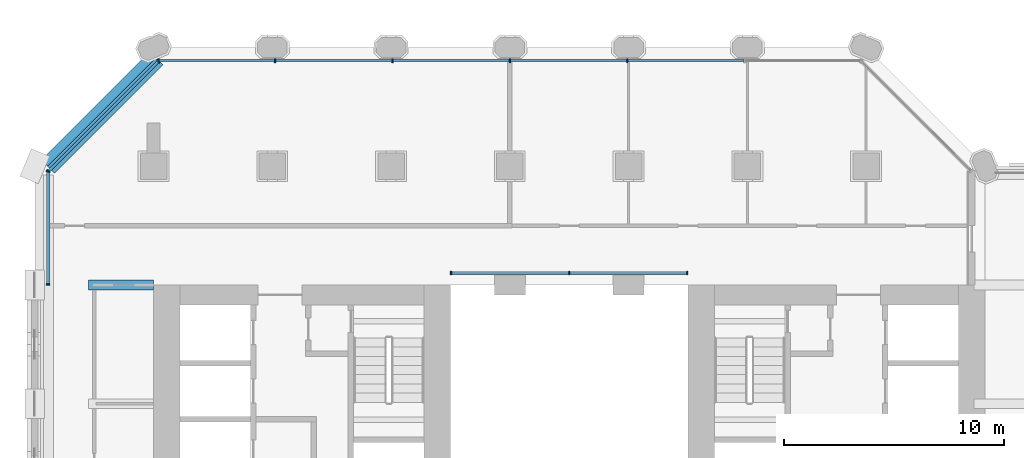
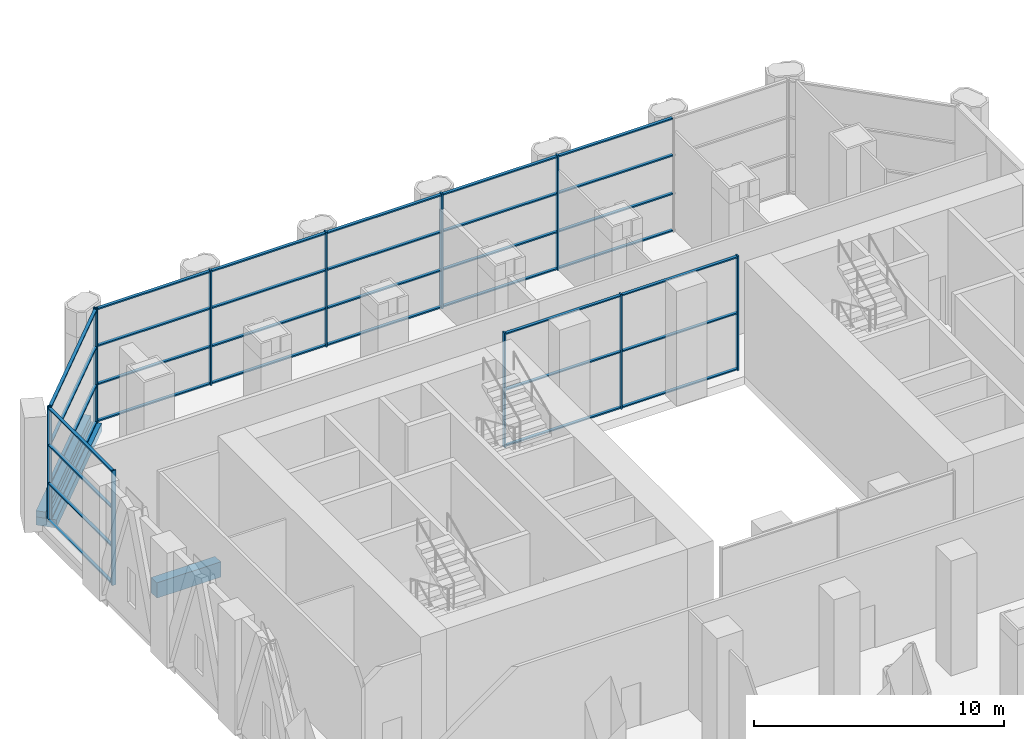
# One storey, part 8 of 34: 46 members, 3 beams, 4 elements without a shape of their own.
"""IFC4 building model written with IfcOpenShell, lengths in metres."""

from ifc_helpers import new_model, si_unit, direction, frame, origin, origin_2d, place, context, subcontext, project, spatial, rectangle, extrude, material, material_profile, profile_set, type_object, element, aggregate, save


model = new_model("IFC4")

# Units and contexts
model_context = context("Model", 3, precision=1e-05, world=origin(), true_north=direction((0.0, 1.0)))
body_context = subcontext(model_context, "Body", "Model", "MODEL_VIEW")
ifc_project = project(units=[si_unit("LENGTHUNIT", "METRE"), si_unit("AREAUNIT", "SQUARE_METRE"), si_unit("VOLUMEUNIT", "CUBIC_METRE"), si_unit("PLANEANGLEUNIT", "RADIAN"), si_unit("MASSUNIT", "GRAM", prefix="KILO")], contexts=[model_context])

# Site, building, storey
site_placement = place(None, origin())
site = spatial("IfcSite", under=ifc_project, at=site_placement, CompositionType="ELEMENT")
building_placement = place(site_placement, origin())
building = spatial("IfcBuilding", under=site, at=building_placement, Name="Tabaq Tower and Sports Hall", CompositionType="ELEMENT")
storey_placement = place(building_placement, frame((0.0, 0.0, 8.39990234375)))
storey = spatial("IfcBuildingStorey", under=building, at=storey_placement, Name="L01", CompositionType="ELEMENT", Elevation=8.39990234375)

# Curtain wall, members
ifc_material_1 = material(Name="Aluminium alloy 6063-T6 framed glazing", Category="aluminium")
curtain_wall_type_1 = type_object("IfcCurtainWallType", Name="CW1 curtain wall", PredefinedType="USERDEFINED", material=ifc_material_1)
curtain_wall_1_placement = place(storey_placement, origin())
curtain_wall_1 = element("IfcCurtainWall", 1, at=curtain_wall_1_placement, inside=storey, type_object=curtain_wall_type_1, Name="Atrium glazing L01 N", ObjectType="ATRIUM ENCLOSURE", PredefinedType="USERDEFINED")
ifc_material_2 = material(Name="Aluminium alloy 6063-T6", Category="aluminium")
ifc_material_profile_1 = material_profile(ifc_material_2, rectangle(XDim=0.159912109375, YDim=0.06005859375, at=origin_2d()), Name="MULLION 160x60")
ifc_profile_set_1 = profile_set([ifc_material_profile_1], Name="Aluminium alloy 6063-T6")
member_type_1 = type_object("IfcMemberType", Name="CW1 mullion 160x60", PredefinedType="MULLION", material=ifc_profile_set_1)
member_1_placement = place(storey_placement, frame((18.929931640625, 32.949951171875, 0.0), z_axis=(0.0, 0.0, 1.0), x_axis=(0.0, 1.0, 0.0)))
member_1 = element("IfcMember", 2, at=member_1_placement, type_object=member_type_1, Name="CW1 mullion 1", PredefinedType="MULLION", context=body_context, shape_type="SweptSolid", body=[
    extrude(rectangle(XDim=0.159912109375, YDim=0.06005859375, at=origin_2d()), origin(), (0.0, 0.0, 1.0), 5.60009765625),
])
member_2_placement = place(storey_placement, frame((24.300048828125, 32.949951171875, 0.0), z_axis=(0.0, 0.0, 1.0), x_axis=(0.0, 1.0, 0.0)))
member_2 = element("IfcMember", 3, at=member_2_placement, type_object=member_type_1, Name="CW1 mullion 2", PredefinedType="MULLION", context=body_context, shape_type="SweptSolid", body=[
    extrude(rectangle(XDim=0.159912109375, YDim=0.06005859375, at=origin_2d()), origin(), (0.0, 0.0, 1.0), 5.60009765625),
])
member_3_placement = place(storey_placement, frame((29.669921875, 32.949951171875, 0.0), z_axis=(0.0, 0.0, 1.0), x_axis=(0.0, 1.0, 0.0)))
member_3 = element("IfcMember", 4, at=member_3_placement, type_object=member_type_1, Name="CW1 mullion 3", PredefinedType="MULLION", context=body_context, shape_type="SweptSolid", body=[
    extrude(rectangle(XDim=0.159912109375, YDim=0.06005859375, at=origin_2d()), origin(), (0.0, 0.0, 1.0), 5.60009765625),
])
ifc_material_3 = material(Name="Aluminium alloy 6063-T6", Category="aluminium")
ifc_material_profile_2 = material_profile(ifc_material_3, rectangle(XDim=0.139892578125, YDim=0.06005859375, at=origin_2d()), Name="TRANSOM 140x60")
ifc_profile_set_2 = profile_set([ifc_material_profile_2], Name="Aluminium alloy 6063-T6")
member_type_2 = type_object("IfcMemberType", Name="CW1 transom 140x60", PredefinedType="USERDEFINED", material=ifc_profile_set_2)
member_4_placement = place(storey_placement, frame((18.9599609375, 32.949951171875, 0.070068359375), z_axis=(1.0, 0.0, 0.0), x_axis=(0.0, 1.0, 0.0)))
member_4 = element("IfcMember", 5, at=member_4_placement, type_object=member_type_2, Name="CW1 transom 1.1", ObjectType="TRANSOM", PredefinedType="USERDEFINED", context=body_context, shape_type="SweptSolid", body=[
    extrude(rectangle(XDim=0.139892578125, YDim=0.06005859375, at=origin_2d()), origin(), (0.0, 0.0, 1.0), 5.31005859375),
])
member_5_placement = place(storey_placement, frame((18.9599609375, 32.949951171875, 2.800048828125), z_axis=(1.0, 0.0, 0.0), x_axis=(0.0, 1.0, 0.0)))
member_5 = element("IfcMember", 6, at=member_5_placement, type_object=member_type_2, Name="CW1 transom 1.2", ObjectType="TRANSOM", PredefinedType="USERDEFINED", context=body_context, shape_type="SweptSolid", body=[
    extrude(rectangle(XDim=0.139892578125, YDim=0.06005859375, at=origin_2d()), origin(), (0.0, 0.0, 1.0), 5.31005859375),
])
member_6_placement = place(storey_placement, frame((18.9599609375, 32.949951171875, 5.530029296875), z_axis=(1.0, 0.0, 0.0), x_axis=(0.0, 1.0, 0.0)))
member_6 = element("IfcMember", 7, at=member_6_placement, type_object=member_type_2, Name="CW1 transom 1.3", ObjectType="TRANSOM", PredefinedType="USERDEFINED", context=body_context, shape_type="SweptSolid", body=[
    extrude(rectangle(XDim=0.139892578125, YDim=0.06005859375, at=origin_2d()), origin(), (0.0, 0.0, 1.0), 5.31005859375),
])
member_7_placement = place(storey_placement, frame((24.330078125, 32.949951171875, 0.070068359375), z_axis=(1.0, 0.0, 0.0), x_axis=(0.0, 1.0, 0.0)))
member_7 = element("IfcMember", 8, at=member_7_placement, type_object=member_type_2, Name="CW1 transom 2.1", ObjectType="TRANSOM", PredefinedType="USERDEFINED", context=body_context, shape_type="SweptSolid", body=[
    extrude(rectangle(XDim=0.139892578125, YDim=0.06005859375, at=origin_2d()), origin(), (0.0, 0.0, 1.0), 5.309814453125),
])
member_8_placement = place(storey_placement, frame((24.330078125, 32.949951171875, 2.800048828125), z_axis=(1.0, 0.0, 0.0), x_axis=(0.0, 1.0, 0.0)))
member_8 = element("IfcMember", 9, at=member_8_placement, type_object=member_type_2, Name="CW1 transom 2.2", ObjectType="TRANSOM", PredefinedType="USERDEFINED", context=body_context, shape_type="SweptSolid", body=[
    extrude(rectangle(XDim=0.139892578125, YDim=0.06005859375, at=origin_2d()), origin(), (0.0, 0.0, 1.0), 5.309814453125),
])
member_9_placement = place(storey_placement, frame((24.330078125, 32.949951171875, 5.530029296875), z_axis=(1.0, 0.0, 0.0), x_axis=(0.0, 1.0, 0.0)))
member_9 = element("IfcMember", 10, at=member_9_placement, type_object=member_type_2, Name="CW1 transom 2.3", ObjectType="TRANSOM", PredefinedType="USERDEFINED", context=body_context, shape_type="SweptSolid", body=[
    extrude(rectangle(XDim=0.139892578125, YDim=0.06005859375, at=origin_2d()), origin(), (0.0, 0.0, 1.0), 5.309814453125),
])
aggregate(curtain_wall_1, [member_1, member_2, member_3, member_4, member_5, member_6, member_7, member_8, member_9])

ifc_material_4 = material(Name="Aluminium alloy 6063-T6 framed glazing", Category="aluminium")
curtain_wall_type_2 = type_object("IfcCurtainWallType", Name="CW7 curtain wall", PredefinedType="USERDEFINED", material=ifc_material_4)
curtain_wall_2_placement = place(storey_placement, origin())
curtain_wall_2 = element("IfcCurtainWall", 11, at=curtain_wall_2_placement, inside=storey, type_object=curtain_wall_type_2, Name="Podium Wall L01 N", ObjectType="PODIUM WALL", PredefinedType="USERDEFINED")
ifc_material_5 = material(Name="Aluminium alloy 6063-T6", Category="aluminium")
ifc_material_profile_3 = material_profile(ifc_material_5, rectangle(XDim=0.179931640625, YDim=0.06494140625, at=origin_2d()), Name="MULLION 180x65")
ifc_profile_set_3 = profile_set([ifc_material_profile_3], Name="Aluminium alloy 6063-T6")
member_type_3 = type_object("IfcMemberType", Name="CW7 mullion 180x65", PredefinedType="MULLION", material=ifc_profile_set_3)
member_10_placement = place(storey_placement, frame((26.93798828125, 42.60009765625, 0.0), z_axis=(0.0, 0.0, 1.0), x_axis=(0.0, -1.0, 0.0)))
member_10 = element("IfcMember", 12, at=member_10_placement, type_object=member_type_3, Name="CW7 mullion 3", PredefinedType="MULLION", context=body_context, shape_type="SweptSolid", body=[
    extrude(rectangle(XDim=0.179931640625, YDim=0.06494140625, at=origin_2d()), origin(), (0.0, 0.0, 1.0), 5.60009765625),
])
member_11_placement = place(storey_placement, frame((21.60009765625, 42.60009765625, 0.0), z_axis=(0.0, 0.0, 1.0), x_axis=(0.0, -1.0, 0.0)))
member_11 = element("IfcMember", 13, at=member_11_placement, type_object=member_type_3, Name="CW7 mullion 4", PredefinedType="MULLION", context=body_context, shape_type="SweptSolid", body=[
    extrude(rectangle(XDim=0.179931640625, YDim=0.06494140625, at=origin_2d()), origin(), (0.0, 0.0, 1.0), 5.60009765625),
])
member_12_placement = place(storey_placement, frame((16.26220703125, 42.60009765625, 0.0), z_axis=(0.0, 0.0, 1.0), x_axis=(0.0, -1.0, 0.0)))
member_12 = element("IfcMember", 14, at=member_12_placement, type_object=member_type_3, Name="CW7 mullion 5", PredefinedType="MULLION", context=body_context, shape_type="SweptSolid", body=[
    extrude(rectangle(XDim=0.179931640625, YDim=0.06494140625, at=origin_2d()), origin(), (0.0, 0.0, 1.0), 5.60009765625),
])
member_13_placement = place(storey_placement, frame((10.92431640625, 42.60009765625, 0.0), z_axis=(0.0, 0.0, 1.0), x_axis=(0.0, -1.0, 0.0)))
member_13 = element("IfcMember", 15, at=member_13_placement, type_object=member_type_3, Name="CW7 mullion 6", PredefinedType="MULLION", context=body_context, shape_type="SweptSolid", body=[
    extrude(rectangle(XDim=0.179931640625, YDim=0.06494140625, at=origin_2d()), origin(), (0.0, 0.0, 1.0), 5.60009765625),
])
member_14_placement = place(storey_placement, frame((5.618896484375, 42.60009765625, 0.0), z_axis=(0.0, 0.0, 1.0), x_axis=(0.0, -1.0, 0.0)))
member_14 = element("IfcMember", 16, at=member_14_placement, type_object=member_type_3, Name="CW7 mullion 7", PredefinedType="MULLION", context=body_context, shape_type="SweptSolid", body=[
    extrude(rectangle(XDim=0.179931640625, YDim=0.06494140625, at=origin_2d()), origin(), (0.0, 0.0, 1.0), 5.60009765625),
])

curtain_wall_3_placement = place(storey_placement, origin())
curtain_wall_3 = element("IfcCurtainWall", 17, at=curtain_wall_3_placement, inside=storey, type_object=curtain_wall_type_2, Name="Podium Wall L01 NW", ObjectType="PODIUM WALL", PredefinedType="USERDEFINED")
member_15_placement = place(storey_placement, frame((5.62548828125, 42.576904296875, 0.0), z_axis=(0.0, 0.0, 1.0), x_axis=(0.707106781187, -0.707106781187, 0.0)))
member_15 = element("IfcMember", 18, at=member_15_placement, type_object=member_type_3, Name="CW7 mullion 1", PredefinedType="MULLION", context=body_context, shape_type="SweptSolid", body=[
    extrude(rectangle(XDim=0.179931640625, YDim=0.06494140625, at=origin_2d()), origin(), (0.0, 0.0, 1.0), 5.60009765625),
])
member_16_placement = place(storey_placement, frame((0.623046875, 37.574462890625, 0.0), z_axis=(0.0, 0.0, 1.0), x_axis=(0.707106781187, -0.707106781187, 0.0)))
member_16 = element("IfcMember", 19, at=member_16_placement, type_object=member_type_3, Name="CW7 mullion 2", PredefinedType="MULLION", context=body_context, shape_type="SweptSolid", body=[
    extrude(rectangle(XDim=0.179931640625, YDim=0.06494140625, at=origin_2d()), origin(), (0.0, 0.0, 1.0), 5.60009765625),
])

curtain_wall_4_placement = place(storey_placement, origin())
curtain_wall_4 = element("IfcCurtainWall", 20, at=curtain_wall_4_placement, inside=storey, type_object=curtain_wall_type_2, Name="Podium Wall L01 W", ObjectType="PODIUM WALL", PredefinedType="USERDEFINED")
member_17_placement = place(storey_placement, frame((0.60009765625, 37.5810546875, 0.0), z_axis=(0.0, 0.0, 1.0), x_axis=(1.0, 0.0, 0.0)))
member_17 = element("IfcMember", 21, at=member_17_placement, type_object=member_type_3, Name="CW7 mullion 1", PredefinedType="MULLION", context=body_context, shape_type="SweptSolid", body=[
    extrude(rectangle(XDim=0.179931640625, YDim=0.06494140625, at=origin_2d()), origin(), (0.0, 0.0, 1.0), 5.60009765625),
])
member_18_placement = place(storey_placement, frame((0.60009765625, 32.4326171875, 0.0), z_axis=(0.0, 0.0, 1.0), x_axis=(1.0, 0.0, 0.0)))
member_18 = element("IfcMember", 22, at=member_18_placement, type_object=member_type_3, Name="CW7 mullion 2", PredefinedType="MULLION", context=body_context, shape_type="SweptSolid", body=[
    extrude(rectangle(XDim=0.179931640625, YDim=0.06494140625, at=origin_2d()), origin(), (0.0, 0.0, 1.0), 5.60009765625),
])

# Member
ifc_material_6 = material(Name="Aluminium alloy 6063-T6", Category="aluminium")
ifc_material_profile_4 = material_profile(ifc_material_6, rectangle(XDim=0.139892578125, YDim=0.06494140625, at=origin_2d()), Name="TRANSOM 140x65")
ifc_profile_set_4 = profile_set([ifc_material_profile_4], Name="Aluminium alloy 6063-T6")
member_type_4 = type_object("IfcMemberType", Name="CW7 transom 140x65", PredefinedType="USERDEFINED", material=ifc_profile_set_4)
member_19_placement = place(storey_placement, frame((32.2431640625, 42.60009765625, 0.070068359375), z_axis=(-1.0, 0.0, 0.0), x_axis=(0.0, -1.0, 0.0)))
member_19 = element("IfcMember", 23, at=member_19_placement, type_object=member_type_4, Name="CW7 transom 2.1", ObjectType="TRANSOM", PredefinedType="USERDEFINED", context=body_context, shape_type="SweptSolid", body=[
    extrude(rectangle(XDim=0.139892578125, YDim=0.06494140625, at=origin_2d()), origin(), (0.0, 0.0, 1.0), 5.272705078125),
])

member_20_placement = place(storey_placement, frame((32.2431640625, 42.60009765625, 1.86669921875), z_axis=(-1.0, 0.0, 0.0), x_axis=(0.0, -1.0, 0.0)))
member_20 = element("IfcMember", 24, at=member_20_placement, type_object=member_type_4, Name="CW7 transom 2.2", ObjectType="TRANSOM", PredefinedType="USERDEFINED", context=body_context, shape_type="SweptSolid", body=[
    extrude(rectangle(XDim=0.139892578125, YDim=0.06494140625, at=origin_2d()), origin(), (0.0, 0.0, 1.0), 5.272705078125),
])

member_21_placement = place(storey_placement, frame((32.2431640625, 42.60009765625, 3.7333984375), z_axis=(-1.0, 0.0, 0.0), x_axis=(0.0, -1.0, 0.0)))
member_21 = element("IfcMember", 25, at=member_21_placement, type_object=member_type_4, Name="CW7 transom 2.3", ObjectType="TRANSOM", PredefinedType="USERDEFINED", context=body_context, shape_type="SweptSolid", body=[
    extrude(rectangle(XDim=0.139892578125, YDim=0.06494140625, at=origin_2d()), origin(), (0.0, 0.0, 1.0), 5.272705078125),
])

member_22_placement = place(storey_placement, frame((32.2431640625, 42.60009765625, 5.530029296875), z_axis=(-1.0, 0.0, 0.0), x_axis=(0.0, -1.0, 0.0)))
member_22 = element("IfcMember", 26, at=member_22_placement, type_object=member_type_4, Name="CW7 transom 2.4", ObjectType="TRANSOM", PredefinedType="USERDEFINED", context=body_context, shape_type="SweptSolid", body=[
    extrude(rectangle(XDim=0.139892578125, YDim=0.06494140625, at=origin_2d()), origin(), (0.0, 0.0, 1.0), 5.272705078125),
])

member_23_placement = place(storey_placement, frame((26.9052734375, 42.60009765625, 0.070068359375), z_axis=(-1.0, 0.0, 0.0), x_axis=(0.0, -1.0, 0.0)))
member_23 = element("IfcMember", 27, at=member_23_placement, type_object=member_type_4, Name="CW7 transom 3.1", ObjectType="TRANSOM", PredefinedType="USERDEFINED", context=body_context, shape_type="SweptSolid", body=[
    extrude(rectangle(XDim=0.139892578125, YDim=0.06494140625, at=origin_2d()), origin(), (0.0, 0.0, 1.0), 5.272705078125),
])

member_24_placement = place(storey_placement, frame((26.9052734375, 42.60009765625, 1.86669921875), z_axis=(-1.0, 0.0, 0.0), x_axis=(0.0, -1.0, 0.0)))
member_24 = element("IfcMember", 28, at=member_24_placement, type_object=member_type_4, Name="CW7 transom 3.2", ObjectType="TRANSOM", PredefinedType="USERDEFINED", context=body_context, shape_type="SweptSolid", body=[
    extrude(rectangle(XDim=0.139892578125, YDim=0.06494140625, at=origin_2d()), origin(), (0.0, 0.0, 1.0), 5.272705078125),
])

member_25_placement = place(storey_placement, frame((26.9052734375, 42.60009765625, 3.7333984375), z_axis=(-1.0, 0.0, 0.0), x_axis=(0.0, -1.0, 0.0)))
member_25 = element("IfcMember", 29, at=member_25_placement, type_object=member_type_4, Name="CW7 transom 3.3", ObjectType="TRANSOM", PredefinedType="USERDEFINED", context=body_context, shape_type="SweptSolid", body=[
    extrude(rectangle(XDim=0.139892578125, YDim=0.06494140625, at=origin_2d()), origin(), (0.0, 0.0, 1.0), 5.272705078125),
])

member_26_placement = place(storey_placement, frame((26.9052734375, 42.60009765625, 5.530029296875), z_axis=(-1.0, 0.0, 0.0), x_axis=(0.0, -1.0, 0.0)))
member_26 = element("IfcMember", 30, at=member_26_placement, type_object=member_type_4, Name="CW7 transom 3.4", ObjectType="TRANSOM", PredefinedType="USERDEFINED", context=body_context, shape_type="SweptSolid", body=[
    extrude(rectangle(XDim=0.139892578125, YDim=0.06494140625, at=origin_2d()), origin(), (0.0, 0.0, 1.0), 5.272705078125),
])

member_27_placement = place(storey_placement, frame((21.5673828125, 42.60009765625, 0.070068359375), z_axis=(-1.0, 0.0, 0.0), x_axis=(0.0, -1.0, 0.0)))
member_27 = element("IfcMember", 31, at=member_27_placement, type_object=member_type_4, Name="CW7 transom 4.1", ObjectType="TRANSOM", PredefinedType="USERDEFINED", context=body_context, shape_type="SweptSolid", body=[
    extrude(rectangle(XDim=0.139892578125, YDim=0.06494140625, at=origin_2d()), origin(), (0.0, 0.0, 1.0), 5.272705078125),
])

member_28_placement = place(storey_placement, frame((21.5673828125, 42.60009765625, 1.86669921875), z_axis=(-1.0, 0.0, 0.0), x_axis=(0.0, -1.0, 0.0)))
member_28 = element("IfcMember", 32, at=member_28_placement, type_object=member_type_4, Name="CW7 transom 4.2", ObjectType="TRANSOM", PredefinedType="USERDEFINED", context=body_context, shape_type="SweptSolid", body=[
    extrude(rectangle(XDim=0.139892578125, YDim=0.06494140625, at=origin_2d()), origin(), (0.0, 0.0, 1.0), 5.272705078125),
])

member_29_placement = place(storey_placement, frame((21.5673828125, 42.60009765625, 3.7333984375), z_axis=(-1.0, 0.0, 0.0), x_axis=(0.0, -1.0, 0.0)))
member_29 = element("IfcMember", 33, at=member_29_placement, type_object=member_type_4, Name="CW7 transom 4.3", ObjectType="TRANSOM", PredefinedType="USERDEFINED", context=body_context, shape_type="SweptSolid", body=[
    extrude(rectangle(XDim=0.139892578125, YDim=0.06494140625, at=origin_2d()), origin(), (0.0, 0.0, 1.0), 5.272705078125),
])

member_30_placement = place(storey_placement, frame((21.5673828125, 42.60009765625, 5.530029296875), z_axis=(-1.0, 0.0, 0.0), x_axis=(0.0, -1.0, 0.0)))
member_30 = element("IfcMember", 34, at=member_30_placement, type_object=member_type_4, Name="CW7 transom 4.4", ObjectType="TRANSOM", PredefinedType="USERDEFINED", context=body_context, shape_type="SweptSolid", body=[
    extrude(rectangle(XDim=0.139892578125, YDim=0.06494140625, at=origin_2d()), origin(), (0.0, 0.0, 1.0), 5.272705078125),
])

member_31_placement = place(storey_placement, frame((16.229736328125, 42.60009765625, 0.070068359375), z_axis=(-1.0, 0.0, 0.0), x_axis=(0.0, -1.0, 0.0)))
member_31 = element("IfcMember", 35, at=member_31_placement, type_object=member_type_4, Name="CW7 transom 5.1", ObjectType="TRANSOM", PredefinedType="USERDEFINED", context=body_context, shape_type="SweptSolid", body=[
    extrude(rectangle(XDim=0.139892578125, YDim=0.06494140625, at=origin_2d()), origin(), (0.0, 0.0, 1.0), 5.27294921875),
])

member_32_placement = place(storey_placement, frame((16.229736328125, 42.60009765625, 1.86669921875), z_axis=(-1.0, 0.0, 0.0), x_axis=(0.0, -1.0, 0.0)))
member_32 = element("IfcMember", 36, at=member_32_placement, type_object=member_type_4, Name="CW7 transom 5.2", ObjectType="TRANSOM", PredefinedType="USERDEFINED", context=body_context, shape_type="SweptSolid", body=[
    extrude(rectangle(XDim=0.139892578125, YDim=0.06494140625, at=origin_2d()), origin(), (0.0, 0.0, 1.0), 5.27294921875),
])

member_33_placement = place(storey_placement, frame((16.229736328125, 42.60009765625, 3.7333984375), z_axis=(-1.0, 0.0, 0.0), x_axis=(0.0, -1.0, 0.0)))
member_33 = element("IfcMember", 37, at=member_33_placement, type_object=member_type_4, Name="CW7 transom 5.3", ObjectType="TRANSOM", PredefinedType="USERDEFINED", context=body_context, shape_type="SweptSolid", body=[
    extrude(rectangle(XDim=0.139892578125, YDim=0.06494140625, at=origin_2d()), origin(), (0.0, 0.0, 1.0), 5.27294921875),
])

member_34_placement = place(storey_placement, frame((16.229736328125, 42.60009765625, 5.530029296875), z_axis=(-1.0, 0.0, 0.0), x_axis=(0.0, -1.0, 0.0)))
member_34 = element("IfcMember", 38, at=member_34_placement, type_object=member_type_4, Name="CW7 transom 5.4", ObjectType="TRANSOM", PredefinedType="USERDEFINED", context=body_context, shape_type="SweptSolid", body=[
    extrude(rectangle(XDim=0.139892578125, YDim=0.06494140625, at=origin_2d()), origin(), (0.0, 0.0, 1.0), 5.27294921875),
])

member_35_placement = place(storey_placement, frame((10.891845703125, 42.60009765625, 0.070068359375), z_axis=(-1.0, 0.0, 0.0), x_axis=(0.0, -1.0, 0.0)))
member_35 = element("IfcMember", 39, at=member_35_placement, type_object=member_type_4, Name="CW7 transom 6.1", ObjectType="TRANSOM", PredefinedType="USERDEFINED", context=body_context, shape_type="SweptSolid", body=[
    extrude(rectangle(XDim=0.139892578125, YDim=0.06494140625, at=origin_2d()), origin(), (0.0, 0.0, 1.0), 5.240478515625),
])

member_36_placement = place(storey_placement, frame((10.891845703125, 42.60009765625, 1.86669921875), z_axis=(-1.0, 0.0, 0.0), x_axis=(0.0, -1.0, 0.0)))
member_36 = element("IfcMember", 40, at=member_36_placement, type_object=member_type_4, Name="CW7 transom 6.2", ObjectType="TRANSOM", PredefinedType="USERDEFINED", context=body_context, shape_type="SweptSolid", body=[
    extrude(rectangle(XDim=0.139892578125, YDim=0.06494140625, at=origin_2d()), origin(), (0.0, 0.0, 1.0), 5.240478515625),
])

member_37_placement = place(storey_placement, frame((10.891845703125, 42.60009765625, 3.7333984375), z_axis=(-1.0, 0.0, 0.0), x_axis=(0.0, -1.0, 0.0)))
member_37 = element("IfcMember", 41, at=member_37_placement, type_object=member_type_4, Name="CW7 transom 6.3", ObjectType="TRANSOM", PredefinedType="USERDEFINED", context=body_context, shape_type="SweptSolid", body=[
    extrude(rectangle(XDim=0.139892578125, YDim=0.06494140625, at=origin_2d()), origin(), (0.0, 0.0, 1.0), 5.240478515625),
])

member_38_placement = place(storey_placement, frame((10.891845703125, 42.60009765625, 5.530029296875), z_axis=(-1.0, 0.0, 0.0), x_axis=(0.0, -1.0, 0.0)))
member_38 = element("IfcMember", 42, at=member_38_placement, type_object=member_type_4, Name="CW7 transom 6.4", ObjectType="TRANSOM", PredefinedType="USERDEFINED", context=body_context, shape_type="SweptSolid", body=[
    extrude(rectangle(XDim=0.139892578125, YDim=0.06494140625, at=origin_2d()), origin(), (0.0, 0.0, 1.0), 5.240478515625),
])

aggregate(curtain_wall_2, [member_10, member_11, member_12, member_13, member_14, member_19, member_20, member_21, member_22, member_23, member_24, member_25, member_26, member_27, member_28, member_29, member_30, member_31, member_32, member_33, member_34, member_35, member_36, member_37, member_38])

member_39_placement = place(storey_placement, frame((5.6025390625, 42.553955078125, 0.070068359375), z_axis=(-0.707106781187, -0.707106781187, 0.0), x_axis=(0.707106781187, -0.707106781187, 0.0)))
member_39 = element("IfcMember", 43, at=member_39_placement, type_object=member_type_4, Name="CW7 transom 1.1", ObjectType="TRANSOM", PredefinedType="USERDEFINED", context=body_context, shape_type="SweptSolid", body=[
    extrude(rectangle(XDim=0.139892578125, YDim=0.06494140625, at=origin_2d()), origin(), (0.0, 0.0, 1.0), 7.009521484375),
])

member_40_placement = place(storey_placement, frame((5.6025390625, 42.553955078125, 1.86669921875), z_axis=(-0.707106781187, -0.707106781187, 0.0), x_axis=(0.707106781187, -0.707106781187, 0.0)))
member_40 = element("IfcMember", 44, at=member_40_placement, type_object=member_type_4, Name="CW7 transom 1.2", ObjectType="TRANSOM", PredefinedType="USERDEFINED", context=body_context, shape_type="SweptSolid", body=[
    extrude(rectangle(XDim=0.139892578125, YDim=0.06494140625, at=origin_2d()), origin(), (0.0, 0.0, 1.0), 7.009521484375),
])

member_41_placement = place(storey_placement, frame((5.6025390625, 42.553955078125, 3.7333984375), z_axis=(-0.707106781187, -0.707106781187, 0.0), x_axis=(0.707106781187, -0.707106781187, 0.0)))
member_41 = element("IfcMember", 45, at=member_41_placement, type_object=member_type_4, Name="CW7 transom 1.3", ObjectType="TRANSOM", PredefinedType="USERDEFINED", context=body_context, shape_type="SweptSolid", body=[
    extrude(rectangle(XDim=0.139892578125, YDim=0.06494140625, at=origin_2d()), origin(), (0.0, 0.0, 1.0), 7.009521484375),
])

member_42_placement = place(storey_placement, frame((5.6025390625, 42.553955078125, 5.530029296875), z_axis=(-0.707106781187, -0.707106781187, 0.0), x_axis=(0.707106781187, -0.707106781187, 0.0)))
member_42 = element("IfcMember", 46, at=member_42_placement, type_object=member_type_4, Name="CW7 transom 1.4", ObjectType="TRANSOM", PredefinedType="USERDEFINED", context=body_context, shape_type="SweptSolid", body=[
    extrude(rectangle(XDim=0.139892578125, YDim=0.06494140625, at=origin_2d()), origin(), (0.0, 0.0, 1.0), 7.009521484375),
])

aggregate(curtain_wall_3, [member_15, member_16, member_39, member_40, member_41, member_42])

member_43_placement = place(storey_placement, frame((0.60009765625, 37.548583984375, 0.070068359375), z_axis=(0.0, -1.0, 0.0), x_axis=(1.0, 0.0, 0.0)))
member_43 = element("IfcMember", 47, at=member_43_placement, type_object=member_type_4, Name="CW7 transom 1.1", ObjectType="TRANSOM", PredefinedType="USERDEFINED", context=body_context, shape_type="SweptSolid", body=[
    extrude(rectangle(XDim=0.139892578125, YDim=0.06494140625, at=origin_2d()), origin(), (0.0, 0.0, 1.0), 5.08349609375),
])

member_44_placement = place(storey_placement, frame((0.60009765625, 37.548583984375, 1.86669921875), z_axis=(0.0, -1.0, 0.0), x_axis=(1.0, 0.0, 0.0)))
member_44 = element("IfcMember", 48, at=member_44_placement, type_object=member_type_4, Name="CW7 transom 1.2", ObjectType="TRANSOM", PredefinedType="USERDEFINED", context=body_context, shape_type="SweptSolid", body=[
    extrude(rectangle(XDim=0.139892578125, YDim=0.06494140625, at=origin_2d()), origin(), (0.0, 0.0, 1.0), 5.08349609375),
])

member_45_placement = place(storey_placement, frame((0.60009765625, 37.548583984375, 3.7333984375), z_axis=(0.0, -1.0, 0.0), x_axis=(1.0, 0.0, 0.0)))
member_45 = element("IfcMember", 49, at=member_45_placement, type_object=member_type_4, Name="CW7 transom 1.3", ObjectType="TRANSOM", PredefinedType="USERDEFINED", context=body_context, shape_type="SweptSolid", body=[
    extrude(rectangle(XDim=0.139892578125, YDim=0.06494140625, at=origin_2d()), origin(), (0.0, 0.0, 1.0), 5.08349609375),
])

member_46_placement = place(storey_placement, frame((0.60009765625, 37.548583984375, 5.530029296875), z_axis=(0.0, -1.0, 0.0), x_axis=(1.0, 0.0, 0.0)))
member_46 = element("IfcMember", 50, at=member_46_placement, type_object=member_type_4, Name="CW7 transom 1.4", ObjectType="TRANSOM", PredefinedType="USERDEFINED", context=body_context, shape_type="SweptSolid", body=[
    extrude(rectangle(XDim=0.139892578125, YDim=0.06494140625, at=origin_2d()), origin(), (0.0, 0.0, 1.0), 5.08349609375),
])

aggregate(curtain_wall_4, [member_17, member_18, member_43, member_44, member_45, member_46])

# Beams
ifc_material_7 = material(Name="Concrete C40/50", Category="concrete")
ifc_material_profile_5 = material_profile(ifc_material_7, rectangle(XDim=0.449951171875, YDim=0.75, at=origin_2d()), Name="CB 450x750")
ifc_profile_set_5 = profile_set([ifc_material_profile_5], Name="Concrete C40/50")
beam_type_1 = type_object("IfcBeamType", Name="PT CANTILEVER BEAM CB 450x750 C40/50", PredefinedType="BEAM", material=ifc_profile_set_5)
beam_1_placement = place(storey_placement, frame((2.449951171875, 32.39990234375, -0.77490234375), z_axis=(1.0, 0.0, 0.0), x_axis=(0.0, 1.0, 0.0)))
element("IfcBeam", 51, at=beam_1_placement, inside=storey, type_object=beam_type_1, Name="Cantilever Beam L01 W6 span 1", PredefinedType="BEAM", context=body_context, shape_type="SweptSolid", body=[
    extrude(rectangle(XDim=0.449951171875, YDim=0.75, at=origin_2d()), origin(), (0.0, 0.0, 1.0), 2.949951171875),
])
ifc_material_8 = material(Name="Concrete C40/50", Category="concrete")
ifc_material_profile_6 = material_profile(ifc_material_8, rectangle(XDim=0.85009765625, YDim=0.39990234375, at=origin_2d()), Name="EB 850x400")
ifc_profile_set_6 = profile_set([ifc_material_profile_6], Name="Concrete C40/50")
beam_type_2 = type_object("IfcBeamType", Name="PT EDGE BEAM EB 850x400 C40/50", PredefinedType="SPANDREL", material=ifc_profile_set_6)
beam_2_placement = place(storey_placement, frame((5.523681640625, 42.72265625, -0.199951171875), z_axis=(-0.707106781187, -0.707106781187, 0.0), x_axis=(0.707106781187, -0.707106781187, 0.0)))
element("IfcBeam", 52, at=beam_2_placement, inside=storey, type_object=beam_type_2, Name="Edge Beam L01 3", PredefinedType="SPANDREL", context=body_context, shape_type="SweptSolid", body=[
    extrude(rectangle(XDim=0.85009765625, YDim=0.39990234375, at=origin_2d()), origin(), (0.0, 0.0, 1.0), 6.98486328125),
])
ifc_material_9 = material(Name="Concrete C40/50", Category="concrete")
ifc_material_profile_7 = material_profile(ifc_material_9, rectangle(XDim=0.39990234375, YDim=0.300048828125, at=origin_2d()), Name="EU 400x300")
ifc_profile_set_7 = profile_set([ifc_material_profile_7], Name="Concrete C40/50")
beam_type_3 = type_object("IfcBeamType", Name="PT EDGE UPSTAND EU 400x300 C40/50", PredefinedType="BEAM", material=ifc_profile_set_7)
beam_3_placement = place(storey_placement, frame((5.36474609375, 42.8818359375, 0.150146484375), z_axis=(-0.707106781187, -0.707106781187, 0.0), x_axis=(0.707106781187, -0.707106781187, 0.0)))
element("IfcBeam", 53, at=beam_3_placement, inside=storey, type_object=beam_type_3, Name="Edge Upstand L01 3", PredefinedType="BEAM", context=body_context, shape_type="SweptSolid", body=[
    extrude(rectangle(XDim=0.39990234375, YDim=0.300048828125, at=origin_2d()), origin(), (0.0, 0.0, 1.0), 6.98486328125),
])

save(model, "model.ifc")
